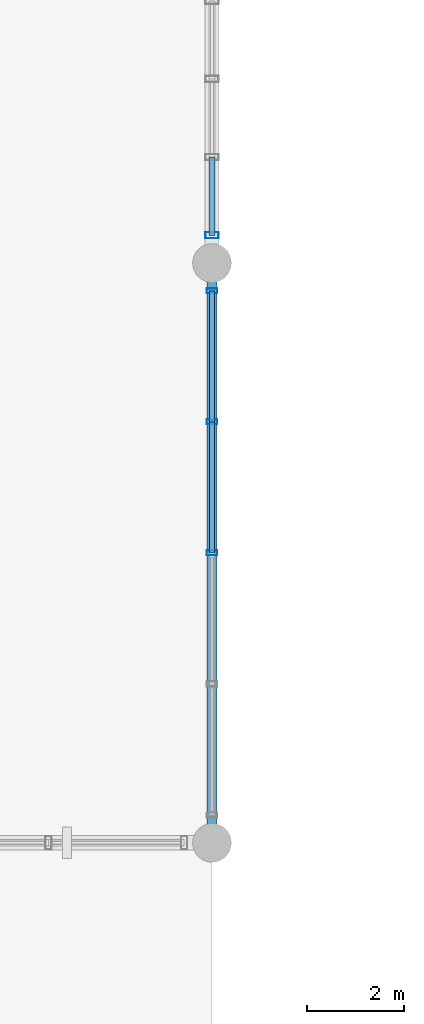
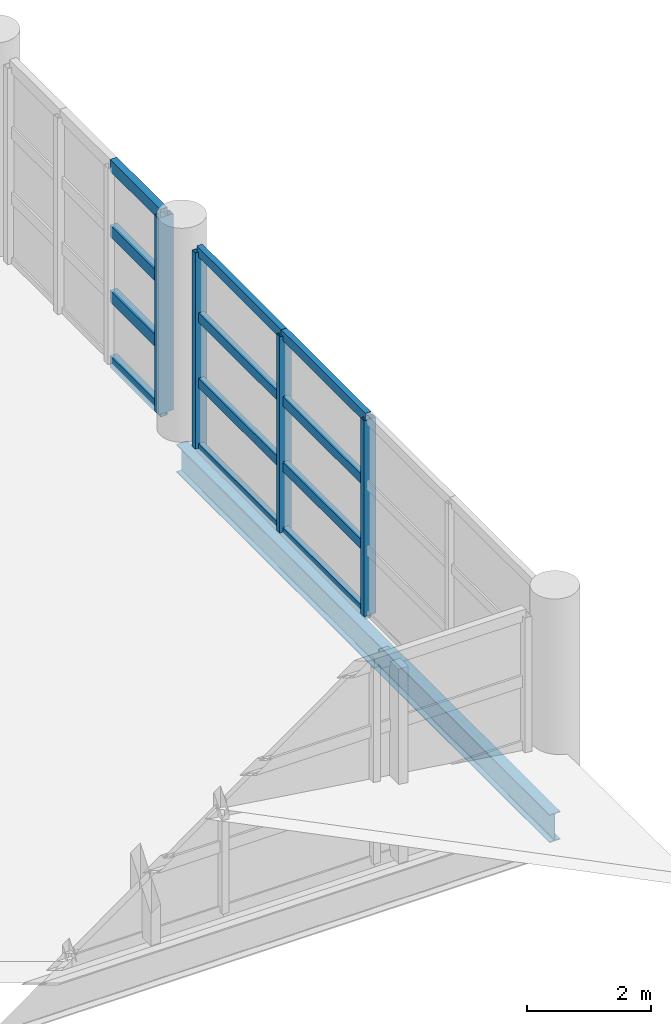
# One storey, part 18 of 136: 16 members, 1 beam, 2 elements without a shape of their own.
"""IFC4 building model written with IfcOpenShell, lengths in metres."""

from ifc_helpers import new_model, si_unit, direction, frame, origin, origin_2d, place, context, subcontext, project, spatial, hollow_rectangle, i_section, extrude, material, material_profile, profile_set, type_object, element, aggregate, save


model = new_model("IFC4")

# Units and contexts
model_context = context("Model", 3, precision=1e-05, world=origin(), true_north=direction((0.0, 1.0)))
body_context = subcontext(model_context, "Body", "Model", "MODEL_VIEW")
ifc_project = project(units=[si_unit("LENGTHUNIT", "METRE"), si_unit("AREAUNIT", "SQUARE_METRE"), si_unit("VOLUMEUNIT", "CUBIC_METRE"), si_unit("PLANEANGLEUNIT", "RADIAN"), si_unit("MASSUNIT", "GRAM", prefix="KILO")], contexts=[model_context])

# Site, building, storey
site_placement = place(None, origin())
site = spatial("IfcSite", under=ifc_project, at=site_placement, CompositionType="ELEMENT")
building_placement = place(site_placement, origin())
building = spatial("IfcBuilding", under=site, at=building_placement, Name="Chuanluo Vaults Station", CompositionType="ELEMENT")
storey_placement = place(building_placement, frame((0.0, 0.0, 6.60009765625)))
storey = spatial("IfcBuildingStorey", under=building, at=storey_placement, Name="L01", CompositionType="ELEMENT", Elevation=6.60009765625)

# Beam
ifc_material_1 = material(Name="Steel Q355C", Category="steel")
ifc_material_profile_1 = material_profile(ifc_material_1, i_section(OverallWidth=0.199951171875, OverallDepth=0.550048828125, WebThickness=0.010009765625, FlangeThickness=0.01611328125, FilletRadius=0.01806640625, at=origin_2d()))
ifc_profile_set_1 = profile_set([ifc_material_profile_1], Name="Steel Q355C")
beam_type = type_object("IfcBeamType", Name="BM-GRD-550", PredefinedType="USERDEFINED", material=ifc_profile_set_1)
beam_placement = place(storey_placement, frame((90.0, 18.0, -0.55517578125), z_axis=(0.0, 1.0, 0.0), x_axis=(-1.0, 0.0, 0.0)))
element("IfcBeam", 1, at=beam_placement, inside=storey, type_object=beam_type, Name="Floor girder BM:GY:L01:0440", ObjectType="GIRDER", PredefinedType="USERDEFINED", context=body_context, shape_type="SweptSolid", body=[
    extrude(i_section(OverallWidth=0.199951171875, OverallDepth=0.550048828125, WebThickness=0.010009765625, FlangeThickness=0.01611328125, FilletRadius=0.01806640625, at=origin_2d()), origin(), (0.0, 0.0, 1.0), 12.0),
])

# Curtain wall, members
ifc_material_2 = material(Name="Anodised aluminium 6063-T6", Category="aluminium")
curtain_wall_type_1 = type_object("IfcCurtainWallType", Name="CW-SYS-28", PredefinedType="NOTDEFINED", material=ifc_material_2)
curtain_wall_1_placement = place(storey_placement, origin())
curtain_wall_1 = element("IfcCurtainWall", 2, at=curtain_wall_1_placement, inside=storey, type_object=curtain_wall_type_1, Name="Concourse east curtain wall 18", PredefinedType="NOTDEFINED")
ifc_material_3 = material(Name="Anodised aluminium 6063-T6", Category="aluminium")
ifc_material_profile_2 = material_profile(ifc_material_3, hollow_rectangle(XDim=0.10498046875, YDim=0.219970703125, WallThickness=0.006103515625, at=origin_2d()))
ifc_profile_set_2 = profile_set([ifc_material_profile_2], Name="Anodised aluminium 6063-T6")
member_type_1 = type_object("IfcMemberType", Name="CWM-140", PredefinedType="MULLION", material=ifc_profile_set_2)
member_1_placement = place(storey_placement, frame((90.0, 29.425048828125, 0.0), z_axis=(0.0, 0.0, 1.0), x_axis=(0.0, -1.0, 0.0)))
member_1 = element("IfcMember", 3, at=member_1_placement, type_object=member_type_1, Name="Concourse east curtain wall 18 mullion 1", PredefinedType="MULLION", context=body_context, shape_type="SweptSolid", body=[
    extrude(hollow_rectangle(XDim=0.10498046875, YDim=0.219970703125, WallThickness=0.006103515625, at=origin_2d()), origin(), (0.0, 0.0, 1.0), 3.849853515625),
])
member_2_placement = place(storey_placement, frame((90.0, 26.71240234375, 0.0), z_axis=(0.0, 0.0, 1.0), x_axis=(0.0, -1.0, 0.0)))
member_2 = element("IfcMember", 4, at=member_2_placement, type_object=member_type_1, Name="Concourse east curtain wall 18 mullion 2", PredefinedType="MULLION", context=body_context, shape_type="SweptSolid", body=[
    extrude(hollow_rectangle(XDim=0.10498046875, YDim=0.219970703125, WallThickness=0.006103515625, at=origin_2d()), origin(), (0.0, 0.0, 1.0), 3.849853515625),
])
member_3_placement = place(storey_placement, frame((90.0, 24.0, 0.0), z_axis=(0.0, 0.0, 1.0), x_axis=(0.0, -1.0, 0.0)))
member_3 = element("IfcMember", 5, at=member_3_placement, type_object=member_type_1, Name="Concourse east curtain wall 18 mullion 3", PredefinedType="MULLION", context=body_context, shape_type="SweptSolid", body=[
    extrude(hollow_rectangle(XDim=0.10498046875, YDim=0.219970703125, WallThickness=0.006103515625, at=origin_2d()), origin(), (0.0, 0.0, 1.0), 3.849853515625),
])

# Curtain wall, member
ifc_material_4 = material(Name="Anodised aluminium 6063-T6", Category="aluminium")
curtain_wall_type_2 = type_object("IfcCurtainWallType", Name="CW-SYS-06", PredefinedType="NOTDEFINED", material=ifc_material_4)
curtain_wall_2_placement = place(storey_placement, origin())
curtain_wall_2 = element("IfcCurtainWall", 6, at=curtain_wall_2_placement, inside=storey, type_object=curtain_wall_type_2, Name="Concourse east curtain wall 30 part 2", PredefinedType="NOTDEFINED")
ifc_material_5 = material(Name="Anodised aluminium 6063-T6", Category="aluminium")
ifc_material_profile_3 = material_profile(ifc_material_5, hollow_rectangle(XDim=0.1298828125, YDim=0.280029296875, WallThickness=0.007080078125, at=origin_2d()))
ifc_profile_set_3 = profile_set([ifc_material_profile_3], Name="Anodised aluminium 6063-T6")
member_type_2 = type_object("IfcMemberType", Name="CWM-180", PredefinedType="MULLION", material=ifc_profile_set_3)
member_4_placement = place(storey_placement, frame((90.0, 30.574951171875, 0.0), z_axis=(0.0, 0.0, 1.0), x_axis=(0.0, -1.0, 0.0)))
member_4 = element("IfcMember", 7, at=member_4_placement, type_object=member_type_2, Name="Concourse east curtain wall 30 part 2 mullion 4", PredefinedType="MULLION", context=body_context, shape_type="SweptSolid", body=[
    extrude(hollow_rectangle(XDim=0.1298828125, YDim=0.280029296875, WallThickness=0.007080078125, at=origin_2d()), origin(), (0.0, 0.0, 1.0), 3.849853515625),
])

# Member
ifc_material_6 = material(Name="Anodised aluminium 6063-T6", Category="aluminium")
ifc_material_profile_4 = material_profile(ifc_material_6, hollow_rectangle(XDim=0.10498046875, YDim=0.18505859375, WallThickness=0.0048828125, at=origin_2d()))
ifc_profile_set_4 = profile_set([ifc_material_profile_4], Name="Anodised aluminium 6063-T6")
member_type_3 = type_object("IfcMemberType", Name="CWT-110", PredefinedType="USERDEFINED", material=ifc_profile_set_4)
member_5_placement = place(storey_placement, frame((90.0, 29.425048828125, 0.0), z_axis=(0.0, -1.0, 0.0), x_axis=(1.0, 0.0, 0.0)))
member_5 = element("IfcMember", 8, at=member_5_placement, type_object=member_type_3, Name="Concourse east curtain wall 18 transom 1.1", ObjectType="TRANSOM", PredefinedType="USERDEFINED", context=body_context, shape_type="SweptSolid", body=[
    extrude(hollow_rectangle(XDim=0.10498046875, YDim=0.18505859375, WallThickness=0.0048828125, at=origin_2d()), origin(), (0.0, 0.0, 1.0), 2.712646484375),
])

member_6_placement = place(storey_placement, frame((90.0, 29.425048828125, 1.283203125), z_axis=(0.0, -1.0, 0.0), x_axis=(1.0, 0.0, 0.0)))
member_6 = element("IfcMember", 9, at=member_6_placement, type_object=member_type_3, Name="Concourse east curtain wall 18 transom 1.2", ObjectType="TRANSOM", PredefinedType="USERDEFINED", context=body_context, shape_type="SweptSolid", body=[
    extrude(hollow_rectangle(XDim=0.10498046875, YDim=0.18505859375, WallThickness=0.0048828125, at=origin_2d()), origin(), (0.0, 0.0, 1.0), 2.712646484375),
])

member_7_placement = place(storey_placement, frame((90.0, 29.425048828125, 2.566650390625), z_axis=(0.0, -1.0, 0.0), x_axis=(1.0, 0.0, 0.0)))
member_7 = element("IfcMember", 10, at=member_7_placement, type_object=member_type_3, Name="Concourse east curtain wall 18 transom 1.3", ObjectType="TRANSOM", PredefinedType="USERDEFINED", context=body_context, shape_type="SweptSolid", body=[
    extrude(hollow_rectangle(XDim=0.10498046875, YDim=0.18505859375, WallThickness=0.0048828125, at=origin_2d()), origin(), (0.0, 0.0, 1.0), 2.712646484375),
])

member_8_placement = place(storey_placement, frame((90.0, 29.425048828125, 3.849853515625), z_axis=(0.0, -1.0, 0.0), x_axis=(1.0, 0.0, 0.0)))
member_8 = element("IfcMember", 11, at=member_8_placement, type_object=member_type_3, Name="Concourse east curtain wall 18 transom 1.4", ObjectType="TRANSOM", PredefinedType="USERDEFINED", context=body_context, shape_type="SweptSolid", body=[
    extrude(hollow_rectangle(XDim=0.10498046875, YDim=0.18505859375, WallThickness=0.0048828125, at=origin_2d()), origin(), (0.0, 0.0, 1.0), 2.712646484375),
])

member_9_placement = place(storey_placement, frame((90.0, 26.71240234375, 0.0), z_axis=(0.0, -1.0, 0.0), x_axis=(1.0, 0.0, 0.0)))
member_9 = element("IfcMember", 12, at=member_9_placement, type_object=member_type_3, Name="Concourse east curtain wall 18 transom 2.1", ObjectType="TRANSOM", PredefinedType="USERDEFINED", context=body_context, shape_type="SweptSolid", body=[
    extrude(hollow_rectangle(XDim=0.10498046875, YDim=0.18505859375, WallThickness=0.0048828125, at=origin_2d()), origin(), (0.0, 0.0, 1.0), 2.71240234375),
])

member_10_placement = place(storey_placement, frame((90.0, 26.71240234375, 1.283203125), z_axis=(0.0, -1.0, 0.0), x_axis=(1.0, 0.0, 0.0)))
member_10 = element("IfcMember", 13, at=member_10_placement, type_object=member_type_3, Name="Concourse east curtain wall 18 transom 2.2", ObjectType="TRANSOM", PredefinedType="USERDEFINED", context=body_context, shape_type="SweptSolid", body=[
    extrude(hollow_rectangle(XDim=0.10498046875, YDim=0.18505859375, WallThickness=0.0048828125, at=origin_2d()), origin(), (0.0, 0.0, 1.0), 2.71240234375),
])

member_11_placement = place(storey_placement, frame((90.0, 26.71240234375, 2.566650390625), z_axis=(0.0, -1.0, 0.0), x_axis=(1.0, 0.0, 0.0)))
member_11 = element("IfcMember", 14, at=member_11_placement, type_object=member_type_3, Name="Concourse east curtain wall 18 transom 2.3", ObjectType="TRANSOM", PredefinedType="USERDEFINED", context=body_context, shape_type="SweptSolid", body=[
    extrude(hollow_rectangle(XDim=0.10498046875, YDim=0.18505859375, WallThickness=0.0048828125, at=origin_2d()), origin(), (0.0, 0.0, 1.0), 2.71240234375),
])

member_12_placement = place(storey_placement, frame((90.0, 26.71240234375, 3.849853515625), z_axis=(0.0, -1.0, 0.0), x_axis=(1.0, 0.0, 0.0)))
member_12 = element("IfcMember", 15, at=member_12_placement, type_object=member_type_3, Name="Concourse east curtain wall 18 transom 2.4", ObjectType="TRANSOM", PredefinedType="USERDEFINED", context=body_context, shape_type="SweptSolid", body=[
    extrude(hollow_rectangle(XDim=0.10498046875, YDim=0.18505859375, WallThickness=0.0048828125, at=origin_2d()), origin(), (0.0, 0.0, 1.0), 2.71240234375),
])

aggregate(curtain_wall_1, [member_1, member_2, member_3, member_5, member_6, member_7, member_8, member_9, member_10, member_11, member_12])

ifc_material_7 = material(Name="Anodised aluminium 6063-T6", Category="aluminium")
ifc_material_profile_5 = material_profile(ifc_material_7, hollow_rectangle(XDim=0.1298828125, YDim=0.22998046875, WallThickness=0.006103515625, at=origin_2d()))
ifc_profile_set_5 = profile_set([ifc_material_profile_5], Name="Anodised aluminium 6063-T6")
member_type_4 = type_object("IfcMemberType", Name="CWT-150", PredefinedType="USERDEFINED", material=ifc_profile_set_5)
member_13_placement = place(storey_placement, frame((90.0, 32.191650390625, 0.0), z_axis=(0.0, -1.0, 0.0), x_axis=(1.0, 0.0, 0.0)))
member_13 = element("IfcMember", 16, at=member_13_placement, type_object=member_type_4, Name="Concourse east curtain wall 30 part 2 transom 3.1", ObjectType="TRANSOM", PredefinedType="USERDEFINED", context=body_context, shape_type="SweptSolid", body=[
    extrude(hollow_rectangle(XDim=0.1298828125, YDim=0.22998046875, WallThickness=0.006103515625, at=origin_2d()), origin(), (0.0, 0.0, 1.0), 1.61669921875),
])

member_14_placement = place(storey_placement, frame((90.0, 32.191650390625, 1.283203125), z_axis=(0.0, -1.0, 0.0), x_axis=(1.0, 0.0, 0.0)))
member_14 = element("IfcMember", 17, at=member_14_placement, type_object=member_type_4, Name="Concourse east curtain wall 30 part 2 transom 3.2", ObjectType="TRANSOM", PredefinedType="USERDEFINED", context=body_context, shape_type="SweptSolid", body=[
    extrude(hollow_rectangle(XDim=0.1298828125, YDim=0.22998046875, WallThickness=0.006103515625, at=origin_2d()), origin(), (0.0, 0.0, 1.0), 1.61669921875),
])

member_15_placement = place(storey_placement, frame((90.0, 32.191650390625, 2.566650390625), z_axis=(0.0, -1.0, 0.0), x_axis=(1.0, 0.0, 0.0)))
member_15 = element("IfcMember", 18, at=member_15_placement, type_object=member_type_4, Name="Concourse east curtain wall 30 part 2 transom 3.3", ObjectType="TRANSOM", PredefinedType="USERDEFINED", context=body_context, shape_type="SweptSolid", body=[
    extrude(hollow_rectangle(XDim=0.1298828125, YDim=0.22998046875, WallThickness=0.006103515625, at=origin_2d()), origin(), (0.0, 0.0, 1.0), 1.61669921875),
])

member_16_placement = place(storey_placement, frame((90.0, 32.191650390625, 3.849853515625), z_axis=(0.0, -1.0, 0.0), x_axis=(1.0, 0.0, 0.0)))
member_16 = element("IfcMember", 19, at=member_16_placement, type_object=member_type_4, Name="Concourse east curtain wall 30 part 2 transom 3.4", ObjectType="TRANSOM", PredefinedType="USERDEFINED", context=body_context, shape_type="SweptSolid", body=[
    extrude(hollow_rectangle(XDim=0.1298828125, YDim=0.22998046875, WallThickness=0.006103515625, at=origin_2d()), origin(), (0.0, 0.0, 1.0), 1.61669921875),
])

aggregate(curtain_wall_2, [member_4, member_13, member_14, member_15, member_16])

save(model, "model.ifc")
